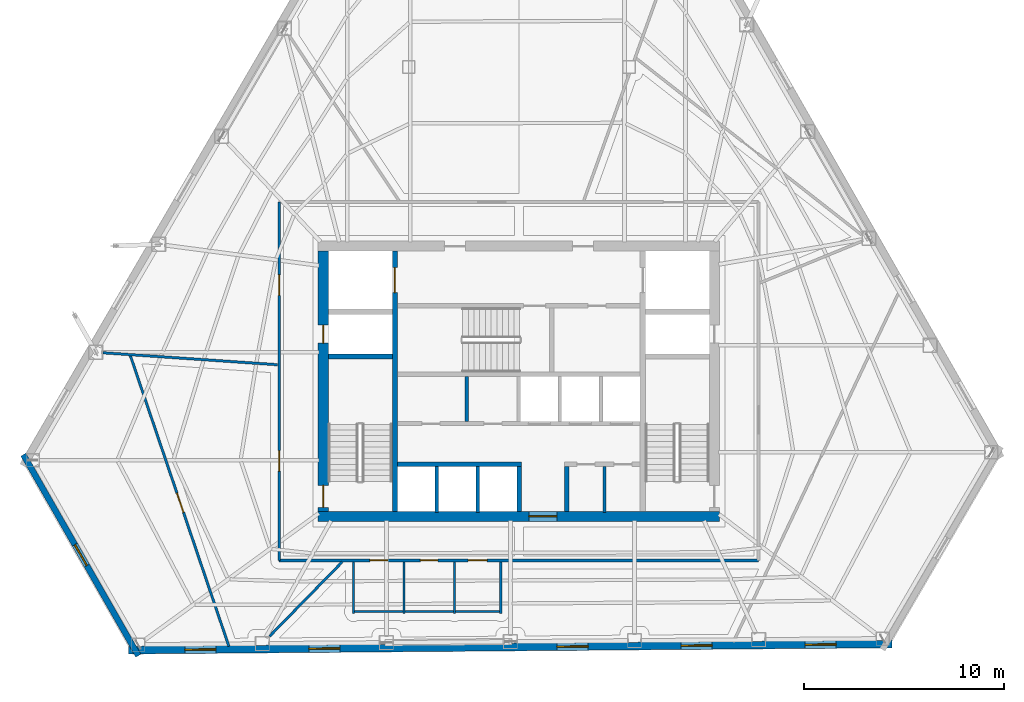
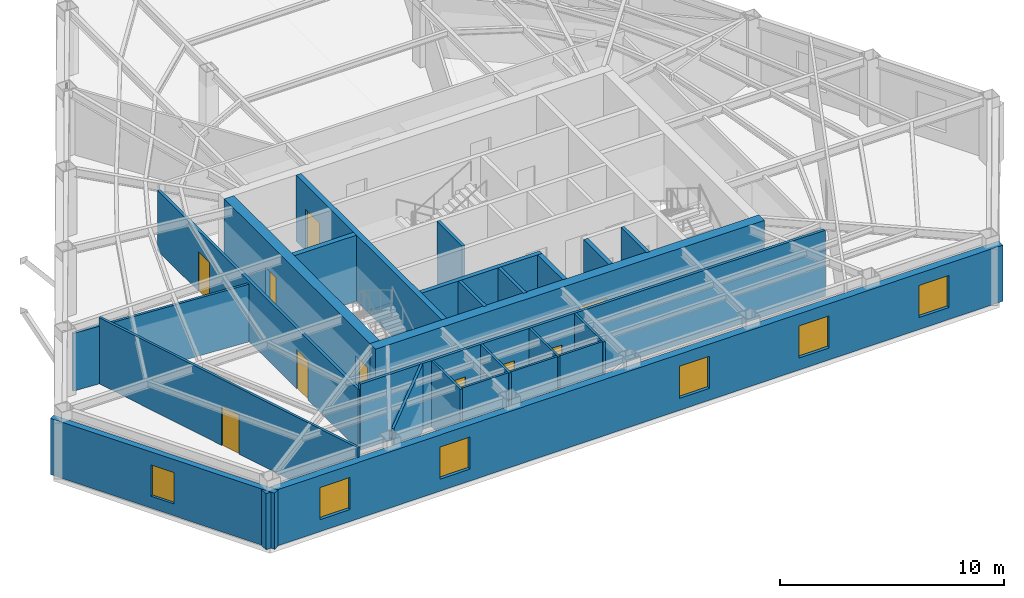
# One storey, part 8 of 12: 23 walls, 10 doors, 6 windows, 16 openings.
"""IFC4 building model written with IfcOpenShell, lengths in metres."""

import ifcopenshell
import ifcopenshell.guid

model = None  # the IFC model being written
_history = None  # IfcOwnerHistory: only IFC2X3 demands one
_inside = {}  # id of a spatial element -> (the spatial element, [elements in it])
_under = {}  # id of a project, library or spatial element -> (it, [spatial elements below it])
_declared = {}  # id of a project -> (the project, [libraries it declares])
_typed = {}  # id of a type object -> (the type object, [elements of that type])
_made_of = {}  # id of a material, layer set ... -> (it, [elements and type objects made of it])


def new_model(schema):
    """Start an empty IFC model of exactly this schema.

    Asked for "IFC4X3", IfcOpenShell would pick the latest addendum, in which some entities
    have other attributes; the version numbers below select the first issue.
    IFC2X3 requires an IfcOwnerHistory on every rooted entity: one is made here for all.
    """
    global model, _history
    if schema == "IFC4X3":
        model = ifcopenshell.file(schema_version=(4, 3, 0, 0))
    else:
        model = ifcopenshell.file(schema=schema)
    _inside.clear()
    _under.clear()
    _declared.clear()
    _typed.clear()
    _made_of.clear()
    _history = None
    if model.schema == "IFC2X3":
        org = make("IfcOrganization", Name="unknown")
        user = make(
            "IfcPersonAndOrganization",
            ThePerson=make("IfcPerson", FamilyName="unknown"),
            TheOrganization=org,
        )
        app = make(
            "IfcApplication",
            ApplicationDeveloper=org,
            Version="unknown",
            ApplicationFullName="unknown",
            ApplicationIdentifier="unknown",
        )
        _history = make(
            "IfcOwnerHistory",
            OwningUser=user,
            OwningApplication=app,
            ChangeAction="ADDED",
            CreationDate=0,
        )
    return model


def make(cls, **values):
    """One entity of the class cls with the attributes given. An attribute that is None is left unset."""
    return model.create_entity(
        cls, **{name: value for name, value in values.items() if value is not None}
    )


def rooted(cls, **values):
    """An entity with a GlobalId (a new one), such as an element, a storey or a relation."""
    return make(cls, GlobalId=ifcopenshell.guid.new(), OwnerHistory=_history, **values)


def si_unit(unit_type, name, prefix=None):
    """IfcSIUnit, for example si_unit("LENGTHUNIT", "METRE", prefix="MILLI")."""
    return make("IfcSIUnit", UnitType=unit_type, Prefix=prefix, Name=name)


def assignment(units):
    """IfcUnitAssignment: the units of a project."""
    return None if units is None else make("IfcUnitAssignment", Units=units)


def point(xyz):
    """IfcCartesianPoint."""
    return None if xyz is None else make("IfcCartesianPoint", Coordinates=xyz)


def direction(xyz):
    """IfcDirection."""
    return None if xyz is None else make("IfcDirection", DirectionRatios=xyz)


def frame(location, z_axis=None, x_axis=None):
    """IfcAxis2Placement3D, a coordinate frame: its origin and axes. An axis left out is left unset."""
    return make(
        "IfcAxis2Placement3D",
        Location=point(location),
        Axis=direction(z_axis),
        RefDirection=direction(x_axis),
    )


def frame_2d(location, x_axis=None):
    """IfcAxis2Placement2D, a coordinate frame in the plane: its origin and x axis."""
    return make(
        "IfcAxis2Placement2D", Location=point(location), RefDirection=direction(x_axis)
    )


def origin():
    """The frame at (0, 0, 0) with its axes left unset."""
    return frame((0.0, 0.0, 0.0))


def place(relative_to, where):
    """IfcLocalPlacement: puts the frame where relative to a parent placement (None: the world)."""
    return make(
        "IfcLocalPlacement", PlacementRelTo=relative_to, RelativePlacement=where
    )


def context(
    kind, dimensions, precision=None, world=None, true_north=None, identifier=None
):
    """IfcGeometricRepresentationContext, for example the 3D "Model" context."""
    return make(
        "IfcGeometricRepresentationContext",
        ContextIdentifier=identifier,
        ContextType=kind,
        CoordinateSpaceDimension=dimensions,
        Precision=precision,
        WorldCoordinateSystem=world,
        TrueNorth=true_north,
    )


def subcontext(parent, identifier, kind, view, scale=None):
    """IfcGeometricRepresentationSubContext, for example "Body" below "Model"."""
    return make(
        "IfcGeometricRepresentationSubContext",
        ContextIdentifier=identifier,
        ContextType=kind,
        ParentContext=parent,
        TargetScale=scale,
        TargetView=view,
    )


def project(units=None, contexts=None):
    """IfcProject with its units and contexts."""
    return rooted(
        "IfcProject",
        Name="project",
        RepresentationContexts=contexts,
        UnitsInContext=assignment(units),
    )


def spatial(cls, under=None, at=None, **own):
    """A site, building, storey or space (cls), placed at a placement, below another one or the project."""
    s = rooted(cls, ObjectPlacement=at, **own)
    if under is not None:
        _under.setdefault(under.id(), (under, []))[1].append(s)
    return s


def profile(cls, at=None, kind="AREA", **sizes):
    """A parametric profile (cls). Its sizes go by their IFC names, for example OverallWidth=200.0."""
    return make(cls, ProfileType=kind, Position=at, **sizes)


def rectangle(**sizes):
    """IfcRectangleProfileDef."""
    return profile("IfcRectangleProfileDef", **sizes)


def extrude(swept, where, along, depth):
    """IfcExtrudedAreaSolid: the profile swept, set in the frame where, extruded along a direction by depth."""
    return make(
        "IfcExtrudedAreaSolid",
        SweptArea=swept,
        Position=where,
        ExtrudedDirection=direction(along),
        Depth=depth,
    )


def shape(context_of_items, identifier, shape_type, items):
    """IfcShapeRepresentation: the items that make up one representation, for example the "Body"."""
    return make(
        "IfcShapeRepresentation",
        ContextOfItems=context_of_items,
        RepresentationIdentifier=identifier,
        RepresentationType=shape_type,
        Items=items,
    )


def material(Name=None, Category=None):
    """IfcMaterial."""
    return make("IfcMaterial", Name=Name, Category=Category)


def layer(
    of_material, thickness, ventilated=None, Name=None, Category=None, Priority=None
):
    """IfcMaterialLayer: one layer of a wall or slab, of a material (None: an air gap)."""
    return make(
        "IfcMaterialLayer",
        Material=of_material,
        LayerThickness=thickness,
        IsVentilated=ventilated,
        Name=Name,
        Category=Category,
        Priority=Priority,
    )


def layer_set(layers, Name=None):
    """IfcMaterialLayerSet."""
    return make("IfcMaterialLayerSet", MaterialLayers=layers, LayerSetName=Name)


def made_of(thing, what):
    """Note that an element or type object is made of a material, layer set ...; save() writes the relation."""
    if what is not None:
        _made_of.setdefault(what.id(), (what, []))[1].append(thing)
    return thing


def type_object(cls, material=None, **own):
    """A type object (cls), such as IfcWallType, which elements share."""
    return made_of(rooted(cls, **own), material)


def element(
    cls,
    number,
    at=None,
    inside=None,
    cuts=None,
    type_object=None,
    material=None,
    context=None,
    identifier="Body",
    shape_type=None,
    held_by="IfcProductDefinitionShape",
    body=None,
    shapes=None,
    **own,
):
    """One element of the class cls, such as IfcWall. Its Tag is "e" and its number.

    at: its placement. inside: the storey or other place that contains it. cuts: it is an
    opening in that element (IfcRelVoidsElement). A single representation is given by context,
    identifier, shape_type and body (its items); several are given by shapes. held_by: the class
    of the entity that holds the representations. save() writes the other relations.
    """
    e = rooted(cls, Tag="e%d" % number, ObjectPlacement=at, **own)
    if body is not None:
        shapes = [shape(context, identifier, shape_type, body)]
    if shapes is not None:
        e.Representation = make(held_by, Representations=shapes)
    if inside is not None:
        _inside.setdefault(inside.id(), (inside, []))[1].append(e)
    if cuts is not None:
        rooted(
            "IfcRelVoidsElement", RelatingBuildingElement=cuts, RelatedOpeningElement=e
        )
    if type_object is not None:
        _typed.setdefault(type_object.id(), (type_object, []))[1].append(e)
    return made_of(e, material)


def fill(opening, filler):
    """IfcRelFillsElement: the door or window that sits in an opening."""
    return rooted(
        "IfcRelFillsElement",
        RelatingOpeningElement=opening,
        RelatedBuildingElement=filler,
    )


def aggregate(whole, parts):
    """IfcRelAggregates: a whole, such as a stair, and the parts it consists of."""
    return rooted("IfcRelAggregates", RelatingObject=whole, RelatedObjects=parts)


def save(model, path):
    """Write the relations noted so far, then the file.

    IfcRelAggregates (storeys below a building ...), IfcRelContainedInSpatialStructure (elements
    in a storey), IfcRelDefinesByType, IfcRelAssociatesMaterial and IfcRelDeclares: one each for
    every whole, place, type object, material and project.
    """
    for whole, parts in _under.values():
        aggregate(whole, parts)
    for where, things in _inside.values():
        rooted(
            "IfcRelContainedInSpatialStructure",
            RelatedElements=things,
            RelatingStructure=where,
        )
    for kind, things in _typed.values():
        rooted("IfcRelDefinesByType", RelatedObjects=things, RelatingType=kind)
    for what, things in _made_of.values():
        rooted("IfcRelAssociatesMaterial", RelatedObjects=things, RelatingMaterial=what)
    for by, libraries in _declared.values():
        rooted("IfcRelDeclares", RelatingContext=by, RelatedDefinitions=libraries)
    model.write(path)


model = new_model("IFC4")

# Units and contexts
model_context = context("Model", 3, precision=1e-05, world=origin(), true_north=direction((0.0, 1.0)))
body_context = subcontext(model_context, "Body", "Model", "MODEL_VIEW")
ifc_project = project(units=[si_unit("LENGTHUNIT", "METRE"), si_unit("AREAUNIT", "SQUARE_METRE"), si_unit("VOLUMEUNIT", "CUBIC_METRE"), si_unit("PLANEANGLEUNIT", "RADIAN"), si_unit("MASSUNIT", "GRAM", prefix="KILO")], contexts=[model_context])

# Site, building, storey
site_placement = place(None, origin())
site = spatial("IfcSite", under=ifc_project, at=site_placement, CompositionType="ELEMENT")
building_placement = place(site_placement, origin())
building = spatial("IfcBuilding", under=site, at=building_placement, Name="Kavelnor Concourse Tower", CompositionType="ELEMENT")
storey_placement = place(building_placement, frame((0.0, 0.0, 147.10009765625)))
storey = spatial("IfcBuildingStorey", under=building, at=storey_placement, Name="L37", CompositionType="ELEMENT", Elevation=147.10009765625)

# Wall, opening, door
ifc_material_1 = material(Name="Concrete C60/75", Category="concrete")
ifc_layer_1 = layer(ifc_material_1, 0.5, Name="Concrete C60/75")
ifc_layer_set_1 = layer_set([ifc_layer_1], Name="Concrete C60/75")
wall_type_1 = type_object("IfcWallType", Name="WL-CORE-Z2-500", PredefinedType="SOLIDWALL", material=ifc_layer_set_1)
wall_1_placement = place(storey_placement, frame((27.97998046875, 9.35009765625, 0.0), z_axis=(0.0, 0.0, 1.0), x_axis=(1.0, 0.0, 0.0)))
wall_1 = element("IfcWall", 1, at=wall_1_placement, inside=storey, type_object=wall_type_1, Name="L37 Central Core South Shear Wall", PredefinedType="SOLIDWALL", context=body_context, shape_type="SweptSolid", body=[
    extrude(rectangle(XDim=20.0400390625, YDim=0.5, at=frame_2d((10.02001953125, 0.0))), origin(), (0.0, 0.0, 1.0), 3.599853515625),
])
opening_1_placement = place(wall_1_placement, frame((10.52001953125, 0.0, 0.0)))
opening_1 = element("IfcOpeningElement", 2, at=opening_1_placement, cuts=wall_1, Name="Opening SD-140", PredefinedType="OPENING", context=body_context, shape_type="SweptSolid", body=[
    extrude(rectangle(XDim=1.39990234375, YDim=2.199951171875, at=frame_2d((0.699951171875, 1.10009765625))), frame((0.0, 0.260009765625, 0.0), z_axis=(0.0, -1.0, 0.0), x_axis=(1.0, 0.0, 0.0)), (0.0, 0.0, 1.0), 0.52001953125),
])
ifc_material_2 = material(Name="Solid-core hardwood timber", Category="wood")
door_type_1 = type_object("IfcDoorType", Name="DR-SUITE-ENTRY-1400", OperationType="NOTDEFINED", PredefinedType="DOOR", material=ifc_material_2)
door_1_placement = place(opening_1_placement, origin())
door_1 = element("IfcDoor", 3, at=door_1_placement, inside=storey, type_object=door_type_1, Name="L37 Passenger Lift Lobby Entry Door", OperationType="SINGLE_SWING_RIGHT", OverallHeight=2.199951171875, OverallWidth=1.39990234375, PredefinedType="DOOR", context=body_context, shape_type="SweptSolid", body=[
    extrude(rectangle(XDim=1.39990234375, YDim=2.199951171875, at=frame_2d((0.699951171875, 1.10009765625))), frame((0.0, 0.02490234375, 0.0), z_axis=(0.0, -1.0, 0.0), x_axis=(1.0, 0.0, 0.0)), (0.0, 0.0, 1.0), 0.050048828125),
])
fill(opening_1, door_1)

# Wall, openings, doors
wall_2_placement = place(storey_placement, frame((28.22998046875, 9.60009765625, 0.0), z_axis=(0.0, 0.0, 1.0), x_axis=(0.0, 1.0, 0.0)))
wall_2 = element("IfcWall", 4, at=wall_2_placement, inside=storey, type_object=wall_type_1, Name="L37 Central Core West Shear Wall", PredefinedType="SOLIDWALL", context=body_context, shape_type="SweptSolid", body=[
    extrude(rectangle(XDim=13.0, YDim=0.5, at=frame_2d((6.5, 0.0))), origin(), (0.0, 0.0, 1.0), 3.599853515625),
])
opening_2_placement = place(wall_2_placement, frame((0.199951171875, 0.0, 0.0)))
opening_2 = element("IfcOpeningElement", 5, at=opening_2_placement, cuts=wall_2, Name="Opening FD-110", PredefinedType="OPENING", context=body_context, shape_type="SweptSolid", body=[
    extrude(rectangle(XDim=1.10009765625, YDim=2.14990234375, at=frame_2d((0.550048828125, 1.074951171875))), frame((0.0, 0.260009765625, 0.0), z_axis=(0.0, -1.0, 0.0), x_axis=(1.0, 0.0, 0.0)), (0.0, 0.0, 1.0), 0.52001953125),
])
opening_3_placement = place(wall_2_placement, frame((8.39990234375, 0.0, 0.0)))
opening_3 = element("IfcOpeningElement", 6, at=opening_3_placement, cuts=wall_2, Name="Opening FD-090", PredefinedType="OPENING", context=body_context, shape_type="SweptSolid", body=[
    extrude(rectangle(XDim=0.89990234375, YDim=2.10009765625, at=frame_2d((0.449951171875, 1.050048828125))), frame((0.0, 0.260009765625, 0.0), z_axis=(0.0, -1.0, 0.0), x_axis=(1.0, 0.0, 0.0)), (0.0, 0.0, 1.0), 0.52001953125),
])
ifc_material_3 = material(Name="Steel Grade 350", Category="steel")
door_type_2 = type_object("IfcDoorType", Name="DR-RISER-FIRE-900", OperationType="NOTDEFINED", PredefinedType="DOOR", material=ifc_material_3)
door_2_placement = place(opening_3_placement, origin())
door_2 = element("IfcDoor", 7, at=door_2_placement, inside=storey, type_object=door_type_2, Name="L37 West Riser Access Door", OperationType="SINGLE_SWING_RIGHT", OverallHeight=2.10009765625, OverallWidth=0.89990234375, PredefinedType="DOOR", context=body_context, shape_type="SweptSolid", body=[
    extrude(rectangle(XDim=0.89990234375, YDim=2.10009765625, at=frame_2d((0.449951171875, 1.050048828125))), frame((0.0, 0.02490234375, 0.0), z_axis=(0.0, -1.0, 0.0), x_axis=(1.0, 0.0, 0.0)), (0.0, 0.0, 1.0), 0.050048828125),
])
fill(opening_3, door_2)
door_type_3 = type_object("IfcDoorType", Name="DR-STAIR-FIRE-1100", OperationType="NOTDEFINED", PredefinedType="DOOR", material=ifc_material_3)
door_3_placement = place(opening_2_placement, origin())
door_3 = element("IfcDoor", 8, at=door_3_placement, inside=storey, type_object=door_type_3, Name="L37 Stair ST1 Fire Door", OperationType="SINGLE_SWING_LEFT", OverallHeight=2.14990234375, OverallWidth=1.10009765625, PredefinedType="DOOR", context=body_context, shape_type="SweptSolid", body=[
    extrude(rectangle(XDim=1.10009765625, YDim=2.14990234375, at=frame_2d((0.550048828125, 1.074951171875))), frame((0.0, 0.02490234375, 0.0), z_axis=(0.0, -1.0, 0.0), x_axis=(1.0, 0.0, 0.0)), (0.0, 0.0, 1.0), 0.050048828125),
])
fill(opening_2, door_3)

# Wall, opening, window
ifc_material_4 = material(Name="Buff ironspot clay face brick masonry", Category="masonry")
ifc_layer_2 = layer(ifc_material_4, 0.300048828125, Name="Buff ironspot clay face brick masonry")
ifc_layer_set_2 = layer_set([ifc_layer_2], Name="Buff ironspot clay face brick masonry")
wall_type_2 = type_object("IfcWallType", Name="WL-EXT-BUFF-BRICK-FOLD-300", PredefinedType="STANDARD", material=ifc_layer_set_2)
wall_3_placement = place(storey_placement, frame((18.99462890625, 2.3916015625, 0.0), z_axis=(0.0, 0.0, 1.0), x_axis=(-0.496472938296, 0.868052199778, 0.0)))
wall_3 = element("IfcWall", 9, at=wall_3_placement, inside=storey, type_object=wall_type_2, Name="L37 Exterior Brick Facade Wall E2", PredefinedType="STANDARD", context=body_context, shape_type="SweptSolid", body=[
    extrude(rectangle(XDim=11.5703125, YDim=0.300048828125, at=frame_2d((5.78515625, 0.0))), origin(), (0.0, 0.0, 1.0), 3.058837890625),
])
opening_4_placement = place(wall_3_placement, frame((5.18505859375, 0.0, 0.64990234375)))
opening_4 = element("IfcOpeningElement", 10, at=opening_4_placement, cuts=wall_3, Name="Opening W-05", PredefinedType="OPENING", context=body_context, shape_type="SweptSolid", body=[
    extrude(rectangle(XDim=1.199951171875, YDim=1.699951171875, at=frame_2d((0.60009765625, 0.85009765625))), frame((0.0, 0.16015625, 0.0), z_axis=(0.0, -1.0, 0.0), x_axis=(1.0, 0.0, 0.0)), (0.0, 0.0, 1.0), 0.320068359375),
])
ifc_material_5 = material(Name="Double low-E argon insulated glazing", Category="glass")
window_type_1 = type_object("IfcWindowType", Name="WIN-FOLD-1200", PartitioningType="SINGLE_PANEL", PredefinedType="WINDOW", material=ifc_material_5)
window_1_placement = place(opening_4_placement, origin())
window_1 = element("IfcWindow", 11, at=window_1_placement, inside=storey, type_object=window_type_1, Name="L37 Chamfer-Fold Facet Window C1", OverallHeight=1.699951171875, OverallWidth=1.199951171875, PartitioningType="SINGLE_PANEL", PredefinedType="WINDOW", context=body_context, shape_type="SweptSolid", body=[
    extrude(rectangle(XDim=1.199951171875, YDim=1.699951171875, at=frame_2d((0.60009765625, 0.85009765625))), frame((0.0, 0.030029296875, 0.0), z_axis=(0.0, -1.0, 0.0), x_axis=(1.0, 0.0, 0.0)), (0.0, 0.0, 1.0), 0.06005859375),
])
fill(opening_4, window_1)

# Wall, openings, windows
ifc_material_6 = material(Name="Red-ochre clay face brick masonry", Category="masonry")
ifc_layer_3 = layer(ifc_material_6, 0.3798828125, Name="Red-ochre clay face brick masonry")
ifc_layer_set_3 = layer_set([ifc_layer_3], Name="Red-ochre clay face brick masonry")
wall_type_3 = type_object("IfcWallType", Name="WL-EXT-RED-BRICK-PIER-380", PredefinedType="STANDARD", material=ifc_layer_set_3)
wall_4_placement = place(storey_placement, frame((56.643310546875, 2.97705078125, 0.0), z_axis=(0.0, 0.0, 1.0), x_axis=(-0.999967461722, -0.008066938573, 0.0)))
wall_4 = element("IfcWall", 12, at=wall_4_placement, inside=storey, type_object=wall_type_3, Name="L37 Exterior Brick Facade Wall E3", PredefinedType="STANDARD", context=body_context, shape_type="SweptSolid", body=[
    extrude(rectangle(XDim=38.133056640625, YDim=0.3798828125, at=frame_2d((19.06640625, 0.0))), origin(), (0.0, 0.0, 1.0), 3.058837890625),
])
opening_5_placement = place(wall_4_placement, frame((33.779052734375, 0.0, 0.64990234375)))
opening_5 = element("IfcOpeningElement", 13, at=opening_5_placement, cuts=wall_4, Name="Opening W-02", PredefinedType="OPENING", context=body_context, shape_type="SweptSolid", body=[
    extrude(rectangle(XDim=1.550048828125, YDim=1.75, at=frame_2d((0.77490234375, 0.875))), frame((0.0, 0.199951171875, 0.0), z_axis=(0.0, -1.0, 0.0), x_axis=(1.0, 0.0, 0.0)), (0.0, 0.0, 1.0), 0.39990234375),
])
opening_6_placement = place(wall_4_placement, frame((27.58251953125, 0.0, 0.64990234375)))
opening_6 = element("IfcOpeningElement", 14, at=opening_6_placement, cuts=wall_4, Name="Opening W-02", PredefinedType="OPENING", context=body_context, shape_type="SweptSolid", body=[
    extrude(rectangle(XDim=1.550048828125, YDim=1.75, at=frame_2d((0.77490234375, 0.875))), frame((0.0, 0.199951171875, 0.0), z_axis=(0.0, -1.0, 0.0), x_axis=(1.0, 0.0, 0.0)), (0.0, 0.0, 1.0), 0.39990234375),
])
opening_7_placement = place(wall_4_placement, frame((15.189453125, 0.0, 0.64990234375)))
opening_7 = element("IfcOpeningElement", 15, at=opening_7_placement, cuts=wall_4, Name="Opening W-02", PredefinedType="OPENING", context=body_context, shape_type="SweptSolid", body=[
    extrude(rectangle(XDim=1.550048828125, YDim=1.75, at=frame_2d((0.77490234375, 0.875))), frame((0.0, 0.199951171875, 0.0), z_axis=(0.0, -1.0, 0.0), x_axis=(1.0, 0.0, 0.0)), (0.0, 0.0, 1.0), 0.39990234375),
])
opening_8_placement = place(wall_4_placement, frame((8.992919921875, 0.0, 0.64990234375)))
opening_8 = element("IfcOpeningElement", 16, at=opening_8_placement, cuts=wall_4, Name="Opening W-02", PredefinedType="OPENING", context=body_context, shape_type="SweptSolid", body=[
    extrude(rectangle(XDim=1.550048828125, YDim=1.75, at=frame_2d((0.77490234375, 0.875))), frame((0.0, 0.199951171875, 0.0), z_axis=(0.0, -1.0, 0.0), x_axis=(1.0, 0.0, 0.0)), (0.0, 0.0, 1.0), 0.39990234375),
])
opening_9_placement = place(wall_4_placement, frame((2.79638671875, 0.0, 0.64990234375)))
opening_9 = element("IfcOpeningElement", 17, at=opening_9_placement, cuts=wall_4, Name="Opening W-02", PredefinedType="OPENING", context=body_context, shape_type="SweptSolid", body=[
    extrude(rectangle(XDim=1.550048828125, YDim=1.75, at=frame_2d((0.77490234375, 0.875))), frame((0.0, 0.199951171875, 0.0), z_axis=(0.0, -1.0, 0.0), x_axis=(1.0, 0.0, 0.0)), (0.0, 0.0, 1.0), 0.39990234375),
])
window_type_2 = type_object("IfcWindowType", Name="WIN-PIER-Z2-1650", PartitioningType="SINGLE_PANEL", PredefinedType="WINDOW", material=ifc_material_5)
window_2_placement = place(opening_5_placement, origin())
window_2 = element("IfcWindow", 18, at=window_2_placement, inside=storey, type_object=window_type_2, Name="L37 Deep-Set Brick Pier Window F1-B0", OverallHeight=1.75, OverallWidth=1.550048828125, PartitioningType="SINGLE_PANEL", PredefinedType="WINDOW", context=body_context, shape_type="SweptSolid", body=[
    extrude(rectangle(XDim=1.550048828125, YDim=1.75, at=frame_2d((0.77490234375, 0.875))), frame((0.0, 0.030029296875, 0.0), z_axis=(0.0, -1.0, 0.0), x_axis=(1.0, 0.0, 0.0)), (0.0, 0.0, 1.0), 0.06005859375),
])
fill(opening_5, window_2)
window_3_placement = place(opening_6_placement, origin())
window_3 = element("IfcWindow", 19, at=window_3_placement, inside=storey, type_object=window_type_2, Name="L37 Deep-Set Brick Pier Window F1-B1", OverallHeight=1.75, OverallWidth=1.550048828125, PartitioningType="SINGLE_PANEL", PredefinedType="WINDOW", context=body_context, shape_type="SweptSolid", body=[
    extrude(rectangle(XDim=1.550048828125, YDim=1.75, at=frame_2d((0.77490234375, 0.875))), frame((0.0, 0.030029296875, 0.0), z_axis=(0.0, -1.0, 0.0), x_axis=(1.0, 0.0, 0.0)), (0.0, 0.0, 1.0), 0.06005859375),
])
fill(opening_6, window_3)
window_4_placement = place(opening_7_placement, origin())
window_4 = element("IfcWindow", 20, at=window_4_placement, inside=storey, type_object=window_type_2, Name="L37 Deep-Set Brick Pier Window F1-B3", OverallHeight=1.75, OverallWidth=1.550048828125, PartitioningType="SINGLE_PANEL", PredefinedType="WINDOW", context=body_context, shape_type="SweptSolid", body=[
    extrude(rectangle(XDim=1.550048828125, YDim=1.75, at=frame_2d((0.77490234375, 0.875))), frame((0.0, 0.030029296875, 0.0), z_axis=(0.0, -1.0, 0.0), x_axis=(1.0, 0.0, 0.0)), (0.0, 0.0, 1.0), 0.06005859375),
])
fill(opening_7, window_4)
window_5_placement = place(opening_8_placement, origin())
window_5 = element("IfcWindow", 21, at=window_5_placement, inside=storey, type_object=window_type_2, Name="L37 Deep-Set Brick Pier Window F1-B4", OverallHeight=1.75, OverallWidth=1.550048828125, PartitioningType="SINGLE_PANEL", PredefinedType="WINDOW", context=body_context, shape_type="SweptSolid", body=[
    extrude(rectangle(XDim=1.550048828125, YDim=1.75, at=frame_2d((0.77490234375, 0.875))), frame((0.0, 0.030029296875, 0.0), z_axis=(0.0, -1.0, 0.0), x_axis=(1.0, 0.0, 0.0)), (0.0, 0.0, 1.0), 0.06005859375),
])
fill(opening_8, window_5)
window_6_placement = place(opening_9_placement, origin())
window_6 = element("IfcWindow", 22, at=window_6_placement, inside=storey, type_object=window_type_2, Name="L37 Deep-Set Brick Pier Window F1-B5", OverallHeight=1.75, OverallWidth=1.550048828125, PartitioningType="SINGLE_PANEL", PredefinedType="WINDOW", context=body_context, shape_type="SweptSolid", body=[
    extrude(rectangle(XDim=1.550048828125, YDim=1.75, at=frame_2d((0.77490234375, 0.875))), frame((0.0, 0.030029296875, 0.0), z_axis=(0.0, -1.0, 0.0), x_axis=(1.0, 0.0, 0.0)), (0.0, 0.0, 1.0), 0.06005859375),
])
fill(opening_9, window_6)

# Wall, openings, doors
ifc_material_7 = material(Name="Gypsum plasterboard on light-gauge steel studs", Category="steel")
ifc_layer_4 = layer(ifc_material_7, 0.14501953125, Name="Gypsum plasterboard on light-gauge steel studs")
ifc_layer_set_4 = layer_set([ifc_layer_4], Name="Gypsum plasterboard on light-gauge steel studs")
wall_type_4 = type_object("IfcWallType", Name="WL-INT-CORR-145", PredefinedType="PARTITIONING", material=ifc_layer_set_4)
wall_5_placement = place(storey_placement, frame((26.030029296875, 25.050048828125, 0.0), z_axis=(0.0, 0.0, 1.0), x_axis=(0.0, -1.0, 0.0)))
wall_5 = element("IfcWall", 23, at=wall_5_placement, inside=storey, type_object=wall_type_4, Name="L37 Corridor Wall WL-L37-CR-03", PredefinedType="PARTITIONING", context=body_context, shape_type="SweptSolid", body=[
    extrude(rectangle(XDim=17.900146484375, YDim=0.14501953125, at=frame_2d((8.9501953125, 0.0))), origin(), (0.0, 0.0, 1.0), 3.287841796875),
])
opening_10_placement = place(wall_5_placement, frame((3.637939453125, 0.0, 0.0)))
opening_10 = element("IfcOpeningElement", 24, at=opening_10_placement, cuts=wall_5, Name="Opening MD-102", PredefinedType="OPENING", context=body_context, shape_type="SweptSolid", body=[
    extrude(rectangle(XDim=1.02001953125, YDim=2.14990234375, at=frame_2d((0.510009765625, 1.074951171875))), frame((0.0, 0.08251953125, 0.0), z_axis=(0.0, -1.0, 0.0), x_axis=(1.0, 0.0, 0.0)), (0.0, 0.0, 1.0), 0.1650390625),
])
opening_11_placement = place(wall_5_placement, frame((12.416748046875, 0.0, 0.0)))
opening_11 = element("IfcOpeningElement", 25, at=opening_11_placement, cuts=wall_5, Name="Opening MD-102", PredefinedType="OPENING", context=body_context, shape_type="SweptSolid", body=[
    extrude(rectangle(XDim=1.02001953125, YDim=2.14990234375, at=frame_2d((0.510009765625, 1.074951171875))), frame((0.0, 0.08251953125, 0.0), z_axis=(0.0, -1.0, 0.0), x_axis=(1.0, 0.0, 0.0)), (0.0, 0.0, 1.0), 0.1650390625),
])
ifc_material_8 = material(Name="Acoustic glazed timber frame", Category="wood")
door_type_4 = type_object("IfcDoorType", Name="DR-MEETING-1020", OperationType="NOTDEFINED", PredefinedType="DOOR", material=ifc_material_8)
door_4_placement = place(opening_10_placement, origin())
door_4 = element("IfcDoor", 26, at=door_4_placement, inside=storey, type_object=door_type_4, Name="L37 Client Boardroom 04 Door", OperationType="SINGLE_SWING_RIGHT", OverallHeight=2.14990234375, OverallWidth=1.02001953125, PredefinedType="DOOR", context=body_context, shape_type="SweptSolid", body=[
    extrude(rectangle(XDim=1.02001953125, YDim=2.14990234375, at=frame_2d((0.510009765625, 1.074951171875))), frame((0.0, 0.02490234375, 0.0), z_axis=(0.0, -1.0, 0.0), x_axis=(1.0, 0.0, 0.0)), (0.0, 0.0, 1.0), 0.050048828125),
])
fill(opening_10, door_4)
door_5_placement = place(opening_11_placement, origin())
door_5 = element("IfcDoor", 27, at=door_5_placement, inside=storey, type_object=door_type_4, Name="L37 Client Boardroom 05 Door", OperationType="SINGLE_SWING_LEFT", OverallHeight=2.14990234375, OverallWidth=1.02001953125, PredefinedType="DOOR", context=body_context, shape_type="SweptSolid", body=[
    extrude(rectangle(XDim=1.02001953125, YDim=2.14990234375, at=frame_2d((0.510009765625, 1.074951171875))), frame((0.0, 0.02490234375, 0.0), z_axis=(0.0, -1.0, 0.0), x_axis=(1.0, 0.0, 0.0)), (0.0, 0.0, 1.0), 0.050048828125),
])
fill(opening_11, door_5)

wall_6_placement = place(storey_placement, frame((26.030029296875, 7.14990234375, 0.0), z_axis=(0.0, 0.0, 1.0), x_axis=(1.0, 0.0, 0.0)))
wall_6 = element("IfcWall", 28, at=wall_6_placement, inside=storey, type_object=wall_type_4, Name="L37 Corridor Wall WL-L37-CR-04", PredefinedType="PARTITIONING", context=body_context, shape_type="SweptSolid", body=[
    extrude(rectangle(XDim=23.93994140625, YDim=0.14501953125, at=frame_2d((11.969970703125, 0.0))), origin(), (0.0, 0.0, 1.0), 3.599853515625),
])
opening_12_placement = place(wall_6_placement, frame((4.530029296875, 0.0, 0.0)))
opening_12 = element("IfcOpeningElement", 29, at=opening_12_placement, cuts=wall_6, Name="Opening WD-088", PredefinedType="OPENING", context=body_context, shape_type="SweptSolid", body=[
    extrude(rectangle(XDim=0.8798828125, YDim=2.10009765625, at=frame_2d((0.43994140625, 1.050048828125))), frame((0.0, 0.08251953125, 0.0), z_axis=(0.0, -1.0, 0.0), x_axis=(1.0, 0.0, 0.0)), (0.0, 0.0, 1.0), 0.1650390625),
])
opening_13_placement = place(wall_6_placement, frame((7.050048828125, 0.0, 0.0)))
opening_13 = element("IfcOpeningElement", 30, at=opening_13_placement, cuts=wall_6, Name="Opening WD-088", PredefinedType="OPENING", context=body_context, shape_type="SweptSolid", body=[
    extrude(rectangle(XDim=0.8798828125, YDim=2.10009765625, at=frame_2d((0.43994140625, 1.050048828125))), frame((0.0, 0.08251953125, 0.0), z_axis=(0.0, -1.0, 0.0), x_axis=(1.0, 0.0, 0.0)), (0.0, 0.0, 1.0), 0.1650390625),
])
opening_14_placement = place(wall_6_placement, frame((9.429931640625, 0.0, 0.0)))
opening_14 = element("IfcOpeningElement", 31, at=opening_14_placement, cuts=wall_6, Name="Opening WD-096", PredefinedType="OPENING", context=body_context, shape_type="SweptSolid", body=[
    extrude(rectangle(XDim=0.9599609375, YDim=2.10009765625, at=frame_2d((0.47998046875, 1.050048828125))), frame((0.0, 0.08251953125, 0.0), z_axis=(0.0, -1.0, 0.0), x_axis=(1.0, 0.0, 0.0)), (0.0, 0.0, 1.0), 0.1650390625),
])
door_type_5 = type_object("IfcDoorType", Name="DR-WC-ACC-960", OperationType="NOTDEFINED", PredefinedType="DOOR", material=ifc_material_2)
door_6_placement = place(opening_14_placement, origin())
door_6 = element("IfcDoor", 32, at=door_6_placement, inside=storey, type_object=door_type_5, Name="L37 Accessible WC Door", OperationType="SINGLE_SWING_LEFT", OverallHeight=2.10009765625, OverallWidth=0.9599609375, PredefinedType="DOOR", context=body_context, shape_type="SweptSolid", body=[
    extrude(rectangle(XDim=0.9599609375, YDim=2.10009765625, at=frame_2d((0.47998046875, 1.050048828125))), frame((0.0, 0.02490234375, 0.0), z_axis=(0.0, -1.0, 0.0), x_axis=(1.0, 0.0, 0.0)), (0.0, 0.0, 1.0), 0.050048828125),
])
fill(opening_14, door_6)
door_type_6 = type_object("IfcDoorType", Name="DR-WC-STD-880", OperationType="NOTDEFINED", PredefinedType="DOOR", material=ifc_material_2)
door_7_placement = place(opening_12_placement, origin())
door_7 = element("IfcDoor", 33, at=door_7_placement, inside=storey, type_object=door_type_6, Name="L37 Male WC Door", OperationType="SINGLE_SWING_LEFT", OverallHeight=2.10009765625, OverallWidth=0.8798828125, PredefinedType="DOOR", context=body_context, shape_type="SweptSolid", body=[
    extrude(rectangle(XDim=0.8798828125, YDim=2.10009765625, at=frame_2d((0.43994140625, 1.050048828125))), frame((0.0, 0.02490234375, 0.0), z_axis=(0.0, -1.0, 0.0), x_axis=(1.0, 0.0, 0.0)), (0.0, 0.0, 1.0), 0.050048828125),
])
fill(opening_12, door_7)
door_8_placement = place(opening_13_placement, origin())
door_8 = element("IfcDoor", 34, at=door_8_placement, inside=storey, type_object=door_type_6, Name="L37 Female WC Door", OperationType="SINGLE_SWING_RIGHT", OverallHeight=2.10009765625, OverallWidth=0.8798828125, PredefinedType="DOOR", context=body_context, shape_type="SweptSolid", body=[
    extrude(rectangle(XDim=0.8798828125, YDim=2.10009765625, at=frame_2d((0.43994140625, 1.050048828125))), frame((0.0, 0.02490234375, 0.0), z_axis=(0.0, -1.0, 0.0), x_axis=(1.0, 0.0, 0.0)), (0.0, 0.0, 1.0), 0.050048828125),
])
fill(opening_13, door_8)

# Walls
ifc_layer_5 = layer(ifc_material_7, 0.1650390625, Name="Gypsum plasterboard on light-gauge steel studs")
ifc_layer_set_5 = layer_set([ifc_layer_5], Name="Gypsum plasterboard on light-gauge steel studs")
wall_type_5 = type_object("IfcWallType", Name="WL-INT-FIRE-165", PredefinedType="PARTITIONING", material=ifc_layer_set_5)
for number, where, z_axis, x_axis, name in (
    (35, (33.89990234375, 9.550048828125, 0.0), (0.0, 0.0, 1.0), (0.0, 1.0, 0.0), "L37 Lift Shaft Divider LP7"),
    (36, (35.949951171875, 9.550048828125, 0.0), (0.0, 0.0, 1.0), (0.0, 1.0, 0.0), "L37 Lift Shaft Divider LP8"),
):
    element("IfcWall", number, at=place(storey_placement, frame(where, z_axis=z_axis, x_axis=x_axis)), inside=storey, type_object=wall_type_5, Name=name, PredefinedType="PARTITIONING", context=body_context, shape_type="SweptSolid", body=[
        extrude(rectangle(XDim=2.2900390625, YDim=0.1650390625, at=frame_2d((1.14501953125, 0.0))), origin(), (0.0, 0.0, 1.0), 3.599853515625),
    ])
wall_7_placement = place(storey_placement, frame((35.39990234375, 14.10009765625, 0.0), z_axis=(0.0, 0.0, 1.0), x_axis=(0.0, 1.0, 0.0)))
element("IfcWall", 37, at=wall_7_placement, inside=storey, type_object=wall_type_5, Name="L37 Reclaimed Core Split Wall", PredefinedType="PARTITIONING", context=body_context, shape_type="SweptSolid", body=[
    extrude(rectangle(XDim=2.239990234375, YDim=0.1650390625, at=frame_2d((1.1201171875, 0.0))), origin(), (0.0, 0.0, 1.0), 3.599853515625),
])
wall_8_placement = place(storey_placement, frame((42.280029296875, 9.550048828125, 0.0), z_axis=(0.0, 0.0, 1.0), x_axis=(0.0, 1.0, 0.0)))
element("IfcWall", 38, at=wall_8_placement, inside=storey, type_object=wall_type_5, Name="L37 Core Support Divider", PredefinedType="PARTITIONING", context=body_context, shape_type="SweptSolid", body=[
    extrude(rectangle(XDim=2.2900390625, YDim=0.1650390625, at=frame_2d((1.14501953125, 0.0))), origin(), (0.0, 0.0, 1.0), 3.599853515625),
])
ifc_layer_6 = layer(ifc_material_7, 0.125, Name="Gypsum plasterboard on light-gauge steel studs")
ifc_layer_set_6 = layer_set([ifc_layer_6], Name="Gypsum plasterboard on light-gauge steel studs")
wall_type_6 = type_object("IfcWallType", Name="WL-INT-SUITE-125", PredefinedType="PARTITIONING", material=ifc_layer_set_6)
wall_9_placement = place(storey_placement, frame((25.949462890625, 16.925048828125, 0.0), z_axis=(0.0, 0.0, 1.0), x_axis=(-0.997662095491, 0.06833990942, 0.0)))
element("IfcWall", 39, at=wall_9_placement, inside=storey, type_object=wall_type_6, Name="L37 Radial Suite Partition 04", PredefinedType="PARTITIONING", context=body_context, shape_type="SweptSolid", body=[
    extrude(rectangle(XDim=8.73828125, YDim=0.125, at=frame_2d((4.369140625, 0.0))), origin(), (0.0, 0.0, 1.0), 3.140869140625),
])
wall_10_placement = place(storey_placement, frame((29.17138671875, 7.069580078125, 0.0), z_axis=(0.0, 0.0, 1.0), x_axis=(-0.69905826228, -0.715064714511, 0.0)))
element("IfcWall", 40, at=wall_10_placement, inside=storey, type_object=wall_type_6, Name="L37 Radial Suite Partition 05", PredefinedType="PARTITIONING", context=body_context, shape_type="SweptSolid", body=[
    extrude(rectangle(XDim=5.185791015625, YDim=0.125, at=frame_2d((2.5927734375, 0.0))), origin(), (0.0, 0.0, 1.0), 3.599853515625),
])

# Wall, opening, door
wall_11_placement = place(storey_placement, frame((18.58349609375, 17.41455078125, 0.0), z_axis=(0.0, 0.0, 1.0), x_axis=(0.321056186339, -0.947060148678, 0.0)))
wall_11 = element("IfcWall", 41, at=wall_11_placement, inside=storey, type_object=wall_type_6, Name="L37 Suite Subdivision Partition 04", PredefinedType="PARTITIONING", context=body_context, shape_type="SweptSolid", body=[
    extrude(rectangle(XDim=15.3681640625, YDim=0.125, at=frame_2d((7.68408203125, 0.0))), origin(), (0.0, 0.0, 1.0), 3.599853515625),
])
opening_15_placement = place(wall_11_placement, frame((7.28662109375, 0.0, 0.0)))
opening_15 = element("IfcOpeningElement", 42, at=opening_15_placement, cuts=wall_11, Name="Opening MD-102", PredefinedType="OPENING", context=body_context, shape_type="SweptSolid", body=[
    extrude(rectangle(XDim=1.02001953125, YDim=2.14990234375, at=frame_2d((0.510009765625, 1.074951171875))), frame((0.0, 0.072509765625, 0.0), z_axis=(0.0, -1.0, 0.0), x_axis=(1.0, 0.0, 0.0)), (0.0, 0.0, 1.0), 0.14501953125),
])
door_9_placement = place(opening_15_placement, origin())
door_9 = element("IfcDoor", 43, at=door_9_placement, inside=storey, type_object=door_type_4, Name="L37 Client Boardroom 06 Door", OperationType="SINGLE_SWING_RIGHT", OverallHeight=2.14990234375, OverallWidth=1.02001953125, PredefinedType="DOOR", context=body_context, shape_type="SweptSolid", body=[
    extrude(rectangle(XDim=1.02001953125, YDim=2.14990234375, at=frame_2d((0.510009765625, 1.074951171875))), frame((0.0, 0.02490234375, 0.0), z_axis=(0.0, -1.0, 0.0), x_axis=(1.0, 0.0, 0.0)), (0.0, 0.0, 1.0), 0.050048828125),
])
fill(opening_15, door_9)

# Walls
ifc_layer_7 = layer(ifc_material_7, 0.110107421875, Name="Gypsum plasterboard on light-gauge steel studs")
ifc_layer_set_7 = layer_set([ifc_layer_7], Name="Gypsum plasterboard on light-gauge steel studs")
wall_type_7 = type_object("IfcWallType", Name="WL-INT-WC-110", PredefinedType="PLUMBINGWALL", material=ifc_layer_set_7)
for number, where, z_axis, x_axis, name in (
    (44, (29.739990234375, 4.5, 0.0), (0.0, 0.0, 1.0), (0.0, 1.0, 0.0), "L37 Sanitary Partition WL-L37-WC-W"),
    (45, (32.260009765625, 4.5, 0.0), (0.0, 0.0, 1.0), (0.0, 1.0, 0.0), "L37 Sanitary Partition WL-L37-WC-D1"),
    (46, (34.780029296875, 4.5, 0.0), (0.0, 0.0, 1.0), (0.0, 1.0, 0.0), "L37 Sanitary Partition WL-L37-WC-D2"),
    (47, (37.10009765625, 4.5, 0.0), (0.0, 0.0, 1.0), (0.0, 1.0, 0.0), "L37 Sanitary Partition WL-L37-WC-E"),
):
    element("IfcWall", number, at=place(storey_placement, frame(where, z_axis=z_axis, x_axis=x_axis)), inside=storey, type_object=wall_type_7, Name=name, PredefinedType="PLUMBINGWALL", context=body_context, shape_type="SweptSolid", body=[
        extrude(rectangle(XDim=2.580078125, YDim=0.110107421875, at=frame_2d((1.2900390625, 0.0))), origin(), (0.0, 0.0, 1.0), 3.599853515625),
    ])
wall_12_placement = place(storey_placement, frame((29.68994140625, 4.60009765625, 0.0), z_axis=(0.0, 0.0, 1.0), x_axis=(1.0, 0.0, 0.0)))
element("IfcWall", 48, at=wall_12_placement, inside=storey, type_object=wall_type_7, Name="L37 Sanitary Partition WL-L37-WC-S", PredefinedType="PLUMBINGWALL", context=body_context, shape_type="SweptSolid", body=[
    extrude(rectangle(XDim=7.4599609375, YDim=0.110107421875, at=frame_2d((3.72998046875, 0.0))), origin(), (0.0, 0.0, 1.0), 3.599853515625),
])
ifc_material_9 = material(Name="Concrete C50/60", Category="concrete")
ifc_layer_8 = layer(ifc_material_9, 0.219970703125, Name="Concrete C50/60")
ifc_layer_set_8 = layer_set([ifc_layer_8], Name="Concrete C50/60")
wall_type_8 = type_object("IfcWallType", Name="WL-SHAFT-220", PredefinedType="SOLIDWALL", material=ifc_layer_set_8)
wall_13_placement = place(storey_placement, frame((31.93994140625, 11.949951171875, 0.0), z_axis=(0.0, 0.0, 1.0), x_axis=(1.0, 0.0, 0.0)))
element("IfcWall", 49, at=wall_13_placement, inside=storey, type_object=wall_type_8, Name="L37 High-Rise Lift Bank North Wall", PredefinedType="SOLIDWALL", context=body_context, shape_type="SweptSolid", body=[
    extrude(rectangle(XDim=6.18994140625, YDim=0.219970703125, at=frame_2d((3.094970703125, 0.0))), origin(), (0.0, 0.0, 1.0), 3.599853515625),
])
for number, where, z_axis, x_axis, name in (
    (50, (38.02001953125, 9.60009765625, 0.0), (0.0, 0.0, 1.0), (0.0, 1.0, 0.0), "L37 Lift Lobby Throat West Wall"),
    (51, (40.389892578125, 9.60009765625, 0.0), (0.0, 0.0, 1.0), (0.0, 1.0, 0.0), "L37 Lift Lobby Throat East Wall"),
):
    element("IfcWall", number, at=place(storey_placement, frame(where, z_axis=z_axis, x_axis=x_axis)), inside=storey, type_object=wall_type_8, Name=name, PredefinedType="SOLIDWALL", context=body_context, shape_type="SweptSolid", body=[
        extrude(rectangle(XDim=2.239990234375, YDim=0.219970703125, at=frame_2d((1.1201171875, 0.0))), origin(), (0.0, 0.0, 1.0), 3.599853515625),
    ])

# Wall, opening, door
ifc_layer_9 = layer(ifc_material_9, 0.260009765625, Name="Concrete C50/60")
ifc_layer_set_9 = layer_set([ifc_layer_9], Name="Concrete C50/60")
wall_type_9 = type_object("IfcWallType", Name="WL-SHAFT-260", PredefinedType="SHEAR", material=ifc_layer_set_9)
wall_14_placement = place(storey_placement, frame((31.81005859375, 9.60009765625, 0.0), z_axis=(0.0, 0.0, 1.0), x_axis=(0.0, 1.0, 0.0)))
wall_14 = element("IfcWall", 52, at=wall_14_placement, inside=storey, type_object=wall_type_9, Name="L37 Core West Wing Shear Wall", PredefinedType="SHEAR", context=body_context, shape_type="SweptSolid", body=[
    extrude(rectangle(XDim=13.0, YDim=0.260009765625, at=frame_2d((6.5, 0.0))), origin(), (0.0, 0.0, 1.0), 3.599853515625),
])
opening_16_placement = place(wall_14_placement, frame((10.925048828125, 0.0, 0.0)))
opening_16 = element("IfcOpeningElement", 53, at=opening_16_placement, cuts=wall_14, Name="Opening LD-125", PredefinedType="OPENING", context=body_context, shape_type="SweptSolid", body=[
    extrude(rectangle(XDim=1.25, YDim=2.25, at=frame_2d((0.625, 1.125))), frame((0.0, 0.14013671875, 0.0), z_axis=(0.0, -1.0, 0.0), x_axis=(1.0, 0.0, 0.0)), (0.0, 0.0, 1.0), 0.280029296875),
])
door_type_7 = type_object("IfcDoorType", Name="DR-LIFT-SLIDING-1250", OperationType="NOTDEFINED", PredefinedType="DOOR", material=ifc_material_3)
door_10_placement = place(opening_16_placement, origin())
door_10 = element("IfcDoor", 54, at=door_10_placement, inside=storey, type_object=door_type_7, Name="L37 Emergency Lift FL1 Landing Door", OperationType="DOUBLE_DOOR_SLIDING", OverallHeight=2.25, OverallWidth=1.25, PredefinedType="DOOR", context=body_context, shape_type="SweptSolid", body=[
    extrude(rectangle(XDim=1.25, YDim=2.25, at=frame_2d((0.625, 1.125))), frame((0.0, 0.02490234375, 0.0), z_axis=(0.0, -1.0, 0.0), x_axis=(1.0, 0.0, 0.0)), (0.0, 0.0, 1.0), 0.050048828125),
])
fill(opening_16, door_10)

# Wall
wall_15_placement = place(storey_placement, frame((28.47998046875, 17.330078125, 0.0), z_axis=(0.0, 0.0, 1.0), x_axis=(1.0, 0.0, 0.0)))
element("IfcWall", 55, at=wall_15_placement, inside=storey, type_object=wall_type_9, Name="L37 Stair ST1 North Shaft Wall", PredefinedType="SHEAR", context=body_context, shape_type="SweptSolid", body=[
    extrude(rectangle(XDim=3.199951171875, YDim=0.260009765625, at=frame_2d((1.60009765625, 0.0))), origin(), (0.0, 0.0, 1.0), 3.599853515625),
])

save(model, "model.ifc")
